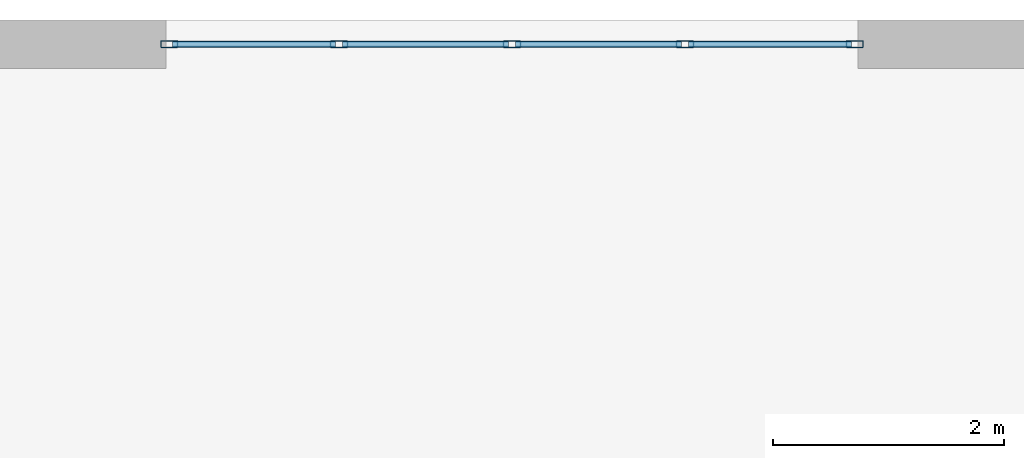
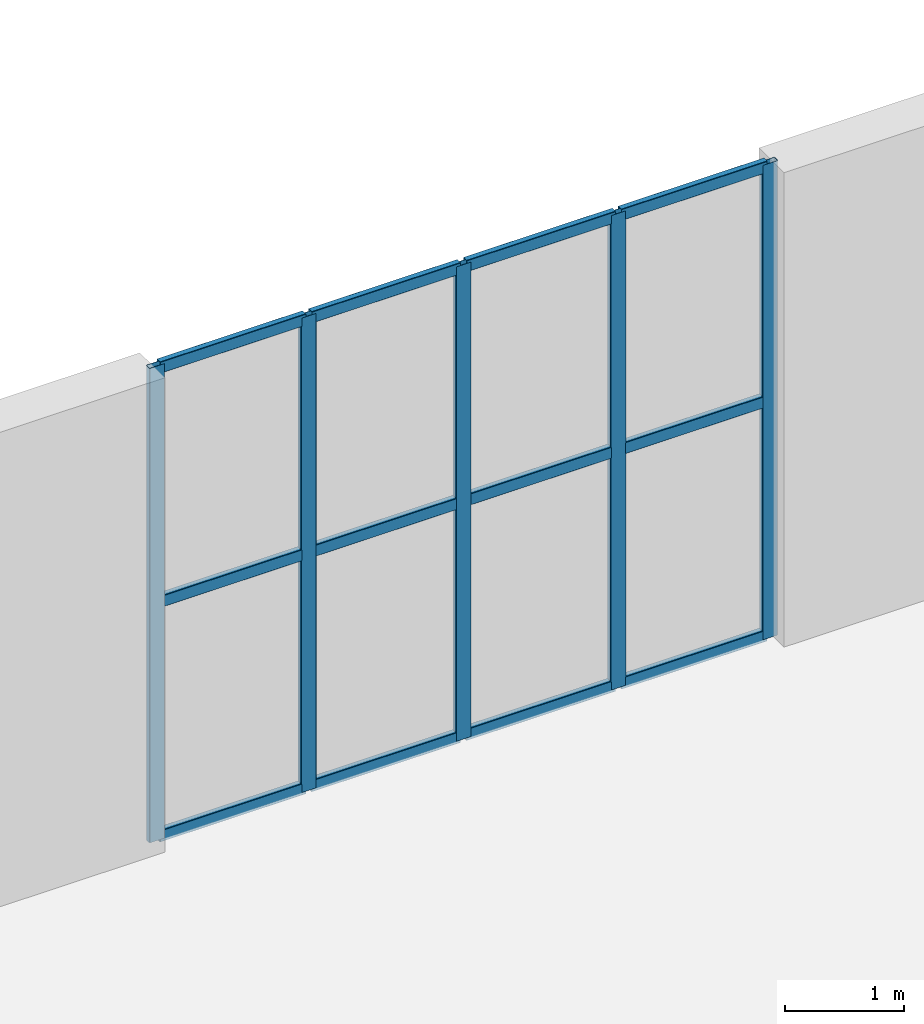
# One storey, part 12 of 23: 17 members, 1 element without a shape of its own.
"""IFC4 building model written with IfcOpenShell, lengths in metres."""

from ifc_helpers import new_model, entity, si_unit, converted_unit, direction, frame, origin_with_axes, origin_2d_with_axis, place, context, subcontext, project, spatial, hollow_rectangle, extrude, material, material_profile, profile_set, type_object, element, aggregate, save


model = new_model("IFC4")

# Units and contexts
model_context = context("Model", 3, precision=1e-05, world=origin_with_axes(), true_north=direction((0.0, 1.0)))
body_context = subcontext(model_context, "Body", "Model", "MODEL_VIEW")
ifc_project = project(units=[si_unit("LENGTHUNIT", "METRE"), si_unit("AREAUNIT", "SQUARE_METRE"), si_unit("VOLUMEUNIT", "CUBIC_METRE"), converted_unit("PLANEANGLEUNIT", "DEGREE", entity("IfcPlaneAngleMeasure", 0.017453292519943295), si_unit("PLANEANGLEUNIT", "RADIAN"), dimensions=[0, 0, 0, 0, 0, 0, 0]), si_unit("MASSUNIT", "GRAM", prefix="KILO"), si_unit("THERMODYNAMICTEMPERATUREUNIT", "KELVIN")], contexts=[model_context])

# Site, building, storey
site_placement = place(None, origin_with_axes())
site = spatial("IfcSite", under=ifc_project, at=site_placement, CompositionType="ELEMENT")
building_placement = place(site_placement, origin_with_axes())
building = spatial("IfcBuilding", under=site, at=building_placement, Name="Varnlund Millrace Tower", CompositionType="ELEMENT")
storey_placement = place(building_placement, frame((0.0, 0.0, 5.7), z_axis=(0.0, 0.0, 1.0), x_axis=(1.0, 0.0, 0.0)))
storey = spatial("IfcBuildingStorey", under=building, at=storey_placement, Name="L01", CompositionType="ELEMENT", Elevation=5.7)

# Curtain wall, members
ifc_material_1 = material(Name="Thermally broken architectural bronze curtain wall", Category="aluminium")
curtain_wall_type = type_object("IfcCurtainWallType", Name="Type-CW-Sys2-Skyway", PredefinedType="NOTDEFINED", material=ifc_material_1)
curtain_wall_placement = place(storey_placement, frame((24.0, 49.29, 0.0), z_axis=(0.0, 0.0, 1.0), x_axis=(1.0, 0.0, 0.0)))
curtain_wall = element("IfcCurtainWall", 1, at=curtain_wall_placement, inside=storey, type_object=curtain_wall_type, Name="Type-CW-Sys2-Skyway", PredefinedType="NOTDEFINED")
ifc_material_2 = material(Name="Architectural bronze aluminium alloy 6063-T6", Category="aluminium")
ifc_material_profile_1 = material_profile(ifc_material_2, hollow_rectangle(XDim=0.06, YDim=0.15, WallThickness=0.004, InnerFilletRadius=0.004, OuterFilletRadius=0.008, at=origin_2d_with_axis()), Name="Architectural bronze aluminium alloy 6063-T6")
ifc_profile_set_1 = profile_set([ifc_material_profile_1], Name="Architectural bronze aluminium alloy 6063-T6")
member_type_1 = type_object("IfcMemberType", Name="Type-CW-Mullion-60X150", PredefinedType="MULLION", material=ifc_profile_set_1)
member_1_placement = place(storey_placement, frame((24.03, 49.29, 0.0), z_axis=(0.0, 0.0, 1.0), x_axis=(0.0, 1.0, 0.0)))
member_1 = element("IfcMember", 2, at=member_1_placement, type_object=member_type_1, Name="CW-02 mullion 1", PredefinedType="MULLION", context=body_context, shape_type="SweptSolid", body=[
    extrude(hollow_rectangle(XDim=0.06, YDim=0.15, WallThickness=0.004, InnerFilletRadius=0.004, OuterFilletRadius=0.008, at=origin_2d_with_axis()), origin_with_axes(), (0.0, 0.0, 1.0), 4.86),
])
member_2_placement = place(storey_placement, frame((25.5, 49.29, 0.0), z_axis=(0.0, 0.0, 1.0), x_axis=(0.0, 1.0, 0.0)))
member_2 = element("IfcMember", 3, at=member_2_placement, type_object=member_type_1, Name="CW-02 mullion 2", PredefinedType="MULLION", context=body_context, shape_type="SweptSolid", body=[
    extrude(hollow_rectangle(XDim=0.06, YDim=0.15, WallThickness=0.004, InnerFilletRadius=0.004, OuterFilletRadius=0.008, at=origin_2d_with_axis()), origin_with_axes(), (0.0, 0.0, 1.0), 4.86),
])
member_3_placement = place(storey_placement, frame((27.0, 49.29, 0.0), z_axis=(0.0, 0.0, 1.0), x_axis=(0.0, 1.0, 0.0)))
member_3 = element("IfcMember", 4, at=member_3_placement, type_object=member_type_1, Name="CW-02 mullion 3", PredefinedType="MULLION", context=body_context, shape_type="SweptSolid", body=[
    extrude(hollow_rectangle(XDim=0.06, YDim=0.15, WallThickness=0.004, InnerFilletRadius=0.004, OuterFilletRadius=0.008, at=origin_2d_with_axis()), origin_with_axes(), (0.0, 0.0, 1.0), 4.86),
])
member_4_placement = place(storey_placement, frame((28.5, 49.29, 0.0), z_axis=(0.0, 0.0, 1.0), x_axis=(0.0, 1.0, 0.0)))
member_4 = element("IfcMember", 5, at=member_4_placement, type_object=member_type_1, Name="CW-02 mullion 4", PredefinedType="MULLION", context=body_context, shape_type="SweptSolid", body=[
    extrude(hollow_rectangle(XDim=0.06, YDim=0.15, WallThickness=0.004, InnerFilletRadius=0.004, OuterFilletRadius=0.008, at=origin_2d_with_axis()), origin_with_axes(), (0.0, 0.0, 1.0), 4.86),
])
member_5_placement = place(storey_placement, frame((29.97, 49.29, 0.0), z_axis=(0.0, 0.0, 1.0), x_axis=(0.0, 1.0, 0.0)))
member_5 = element("IfcMember", 6, at=member_5_placement, type_object=member_type_1, Name="CW-02 mullion 5", PredefinedType="MULLION", context=body_context, shape_type="SweptSolid", body=[
    extrude(hollow_rectangle(XDim=0.06, YDim=0.15, WallThickness=0.004, InnerFilletRadius=0.004, OuterFilletRadius=0.008, at=origin_2d_with_axis()), origin_with_axes(), (0.0, 0.0, 1.0), 4.86),
])
ifc_material_profile_2 = material_profile(ifc_material_2, hollow_rectangle(XDim=0.06, YDim=0.12, WallThickness=0.004, InnerFilletRadius=0.004, OuterFilletRadius=0.008, at=origin_2d_with_axis()), Name="Architectural bronze aluminium alloy 6063-T6")
ifc_profile_set_2 = profile_set([ifc_material_profile_2], Name="Architectural bronze aluminium alloy 6063-T6")
member_type_2 = type_object("IfcMemberType", Name="Type-CW-Transom-60X120", PredefinedType="USERDEFINED", material=ifc_profile_set_2)
member_6_placement = place(storey_placement, frame((24.06, 49.29, 0.03), z_axis=(1.0, 0.0, 0.0), x_axis=(0.0, 1.0, 0.0)))
member_6 = element("IfcMember", 7, at=member_6_placement, type_object=member_type_2, Name="CW-02 transom 1.1", ObjectType="TRANSOM", PredefinedType="USERDEFINED", context=body_context, shape_type="SweptSolid", body=[
    extrude(hollow_rectangle(XDim=0.06, YDim=0.12, WallThickness=0.004, InnerFilletRadius=0.004, OuterFilletRadius=0.008, at=origin_2d_with_axis()), origin_with_axes(), (0.0, 0.0, 1.0), 1.41),
])
member_7_placement = place(storey_placement, frame((24.06, 49.29, 2.43), z_axis=(1.0, 0.0, 0.0), x_axis=(0.0, 1.0, 0.0)))
member_7 = element("IfcMember", 8, at=member_7_placement, type_object=member_type_2, Name="CW-02 transom 1.2", ObjectType="TRANSOM", PredefinedType="USERDEFINED", context=body_context, shape_type="SweptSolid", body=[
    extrude(hollow_rectangle(XDim=0.06, YDim=0.12, WallThickness=0.004, InnerFilletRadius=0.004, OuterFilletRadius=0.008, at=origin_2d_with_axis()), origin_with_axes(), (0.0, 0.0, 1.0), 1.41),
])
member_8_placement = place(storey_placement, frame((24.06, 49.29, 4.83), z_axis=(1.0, 0.0, 0.0), x_axis=(0.0, 1.0, 0.0)))
member_8 = element("IfcMember", 9, at=member_8_placement, type_object=member_type_2, Name="CW-02 transom 1.3", ObjectType="TRANSOM", PredefinedType="USERDEFINED", context=body_context, shape_type="SweptSolid", body=[
    extrude(hollow_rectangle(XDim=0.06, YDim=0.12, WallThickness=0.004, InnerFilletRadius=0.004, OuterFilletRadius=0.008, at=origin_2d_with_axis()), origin_with_axes(), (0.0, 0.0, 1.0), 1.41),
])
member_9_placement = place(storey_placement, frame((25.53, 49.29, 0.03), z_axis=(1.0, 0.0, 0.0), x_axis=(0.0, 1.0, 0.0)))
member_9 = element("IfcMember", 10, at=member_9_placement, type_object=member_type_2, Name="CW-02 transom 2.1", ObjectType="TRANSOM", PredefinedType="USERDEFINED", context=body_context, shape_type="SweptSolid", body=[
    extrude(hollow_rectangle(XDim=0.06, YDim=0.12, WallThickness=0.004, InnerFilletRadius=0.004, OuterFilletRadius=0.008, at=origin_2d_with_axis()), origin_with_axes(), (0.0, 0.0, 1.0), 1.44),
])
member_10_placement = place(storey_placement, frame((25.53, 49.29, 2.43), z_axis=(1.0, 0.0, 0.0), x_axis=(0.0, 1.0, 0.0)))
member_10 = element("IfcMember", 11, at=member_10_placement, type_object=member_type_2, Name="CW-02 transom 2.2", ObjectType="TRANSOM", PredefinedType="USERDEFINED", context=body_context, shape_type="SweptSolid", body=[
    extrude(hollow_rectangle(XDim=0.06, YDim=0.12, WallThickness=0.004, InnerFilletRadius=0.004, OuterFilletRadius=0.008, at=origin_2d_with_axis()), origin_with_axes(), (0.0, 0.0, 1.0), 1.44),
])
member_11_placement = place(storey_placement, frame((25.53, 49.29, 4.83), z_axis=(1.0, 0.0, 0.0), x_axis=(0.0, 1.0, 0.0)))
member_11 = element("IfcMember", 12, at=member_11_placement, type_object=member_type_2, Name="CW-02 transom 2.3", ObjectType="TRANSOM", PredefinedType="USERDEFINED", context=body_context, shape_type="SweptSolid", body=[
    extrude(hollow_rectangle(XDim=0.06, YDim=0.12, WallThickness=0.004, InnerFilletRadius=0.004, OuterFilletRadius=0.008, at=origin_2d_with_axis()), origin_with_axes(), (0.0, 0.0, 1.0), 1.44),
])
member_12_placement = place(storey_placement, frame((27.03, 49.29, 0.03), z_axis=(1.0, 0.0, 0.0), x_axis=(0.0, 1.0, 0.0)))
member_12 = element("IfcMember", 13, at=member_12_placement, type_object=member_type_2, Name="CW-02 transom 3.1", ObjectType="TRANSOM", PredefinedType="USERDEFINED", context=body_context, shape_type="SweptSolid", body=[
    extrude(hollow_rectangle(XDim=0.06, YDim=0.12, WallThickness=0.004, InnerFilletRadius=0.004, OuterFilletRadius=0.008, at=origin_2d_with_axis()), origin_with_axes(), (0.0, 0.0, 1.0), 1.44),
])
member_13_placement = place(storey_placement, frame((27.03, 49.29, 2.43), z_axis=(1.0, 0.0, 0.0), x_axis=(0.0, 1.0, 0.0)))
member_13 = element("IfcMember", 14, at=member_13_placement, type_object=member_type_2, Name="CW-02 transom 3.2", ObjectType="TRANSOM", PredefinedType="USERDEFINED", context=body_context, shape_type="SweptSolid", body=[
    extrude(hollow_rectangle(XDim=0.06, YDim=0.12, WallThickness=0.004, InnerFilletRadius=0.004, OuterFilletRadius=0.008, at=origin_2d_with_axis()), origin_with_axes(), (0.0, 0.0, 1.0), 1.44),
])
member_14_placement = place(storey_placement, frame((27.03, 49.29, 4.83), z_axis=(1.0, 0.0, 0.0), x_axis=(0.0, 1.0, 0.0)))
member_14 = element("IfcMember", 15, at=member_14_placement, type_object=member_type_2, Name="CW-02 transom 3.3", ObjectType="TRANSOM", PredefinedType="USERDEFINED", context=body_context, shape_type="SweptSolid", body=[
    extrude(hollow_rectangle(XDim=0.06, YDim=0.12, WallThickness=0.004, InnerFilletRadius=0.004, OuterFilletRadius=0.008, at=origin_2d_with_axis()), origin_with_axes(), (0.0, 0.0, 1.0), 1.44),
])
member_15_placement = place(storey_placement, frame((28.53, 49.29, 0.03), z_axis=(1.0, 0.0, 0.0), x_axis=(0.0, 1.0, 0.0)))
member_15 = element("IfcMember", 16, at=member_15_placement, type_object=member_type_2, Name="CW-02 transom 4.1", ObjectType="TRANSOM", PredefinedType="USERDEFINED", context=body_context, shape_type="SweptSolid", body=[
    extrude(hollow_rectangle(XDim=0.06, YDim=0.12, WallThickness=0.004, InnerFilletRadius=0.004, OuterFilletRadius=0.008, at=origin_2d_with_axis()), origin_with_axes(), (0.0, 0.0, 1.0), 1.41),
])
member_16_placement = place(storey_placement, frame((28.53, 49.29, 2.43), z_axis=(1.0, 0.0, 0.0), x_axis=(0.0, 1.0, 0.0)))
member_16 = element("IfcMember", 17, at=member_16_placement, type_object=member_type_2, Name="CW-02 transom 4.2", ObjectType="TRANSOM", PredefinedType="USERDEFINED", context=body_context, shape_type="SweptSolid", body=[
    extrude(hollow_rectangle(XDim=0.06, YDim=0.12, WallThickness=0.004, InnerFilletRadius=0.004, OuterFilletRadius=0.008, at=origin_2d_with_axis()), origin_with_axes(), (0.0, 0.0, 1.0), 1.41),
])
member_17_placement = place(storey_placement, frame((28.53, 49.29, 4.83), z_axis=(1.0, 0.0, 0.0), x_axis=(0.0, 1.0, 0.0)))
member_17 = element("IfcMember", 18, at=member_17_placement, type_object=member_type_2, Name="CW-02 transom 4.3", ObjectType="TRANSOM", PredefinedType="USERDEFINED", context=body_context, shape_type="SweptSolid", body=[
    extrude(hollow_rectangle(XDim=0.06, YDim=0.12, WallThickness=0.004, InnerFilletRadius=0.004, OuterFilletRadius=0.008, at=origin_2d_with_axis()), origin_with_axes(), (0.0, 0.0, 1.0), 1.41),
])
aggregate(curtain_wall, [member_1, member_2, member_3, member_4, member_5, member_6, member_7, member_8, member_9, member_10, member_11, member_12, member_13, member_14, member_15, member_16, member_17])

save(model, "model.ifc")
